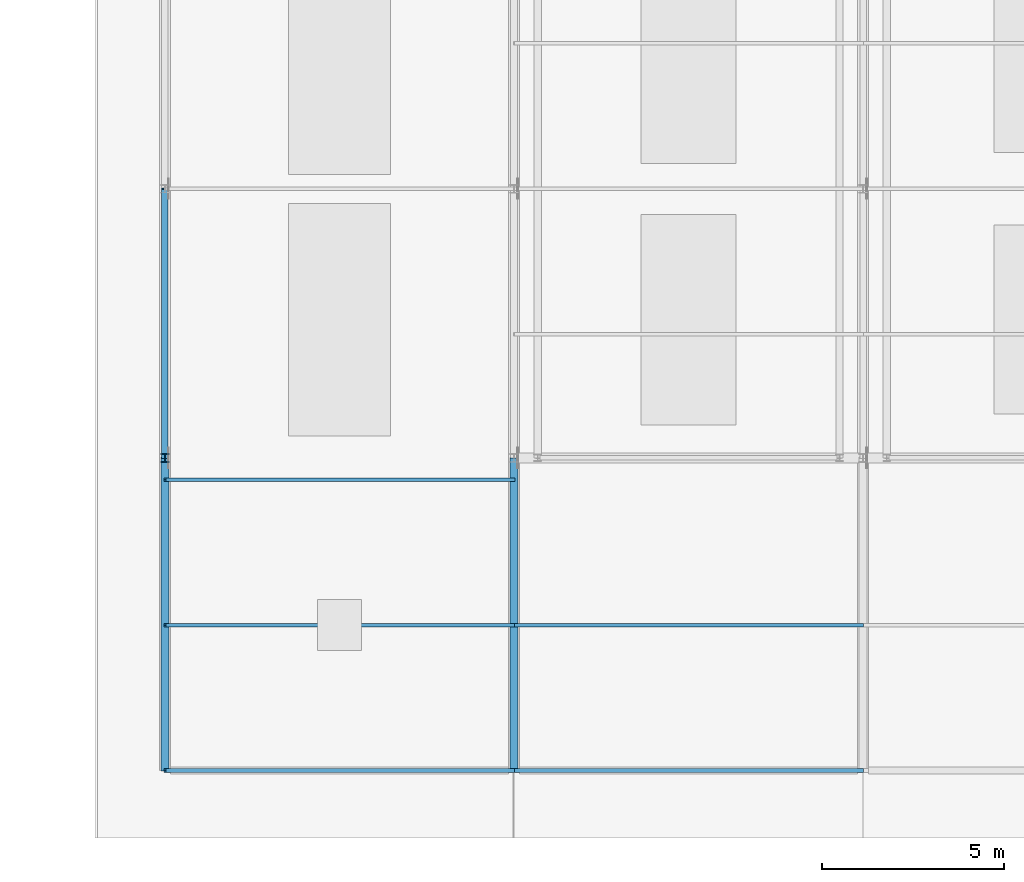
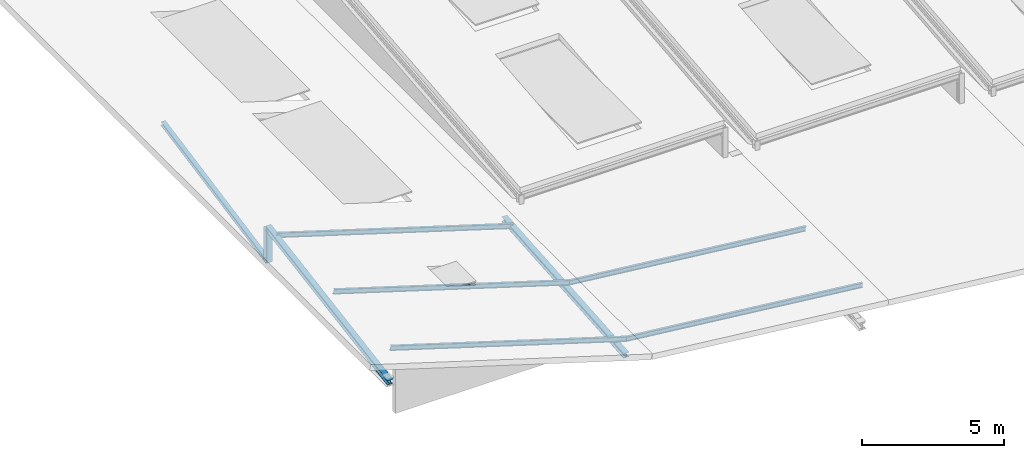
# One storey, part 1 of 30: 9 members.
"""IFC4 building model written with IfcOpenShell, lengths in metres."""

from ifc_helpers import new_model, si_unit, direction, frame, origin, origin_2d, place, context, subcontext, project, spatial, i_section, extrude, material, material_profile, profile_set, type_object, element, save


model = new_model("IFC4")

# Units and contexts
model_context = context("Model", 3, precision=1e-05, world=origin(), true_north=direction((0.0, 1.0)))
body_context = subcontext(model_context, "Body", "Model", "MODEL_VIEW")
ifc_project = project(units=[si_unit("LENGTHUNIT", "METRE"), si_unit("AREAUNIT", "SQUARE_METRE"), si_unit("VOLUMEUNIT", "CUBIC_METRE"), si_unit("PLANEANGLEUNIT", "RADIAN"), si_unit("MASSUNIT", "GRAM", prefix="KILO")], contexts=[model_context])

# Site, building, storey
site_placement = place(None, origin())
site = spatial("IfcSite", under=ifc_project, at=site_placement, CompositionType="ELEMENT")
building_placement = place(site_placement, origin())
building = spatial("IfcBuilding", under=site, at=building_placement, Name="Alderhovde Museum", CompositionType="ELEMENT")
storey_placement = place(building_placement, frame((0.0, 0.0, 30.699951171875)))
storey = spatial("IfcBuildingStorey", under=building, at=storey_placement, Name="RF", CompositionType="ELEMENT", Elevation=30.699951171875)

# Members
ifc_material_1 = material(Name="Steel S355J2", Category="steel")
ifc_material_profile_1 = material_profile(ifc_material_1, i_section(OverallWidth=0.10009765625, OverallDepth=0.199951171875, WebThickness=0.005615234375, FlangeThickness=0.008544921875, FilletRadius=0.011962890625, at=origin_2d()), Name="IPE 200")
ifc_profile_set_1 = profile_set([ifc_material_profile_1], Name="Steel S355J2")
member_type_1 = type_object("IfcMemberType", Name="PRL-IPE200", PredefinedType="PURLIN", material=ifc_profile_set_1)
for number, where, z_axis, x_axis, name in (
    (1, (9.60009765625, 48.0, 1.22998046875), (0.955325587026, 0.0, -0.295555447882), (0.0, 1.0, 0.0), "Folded Wing Roof Purlin Bay 1 Y=48"),
    (2, (9.60009765625, 52.0, 1.22998046875), (0.955325587026, 0.0, -0.295555447882), (0.0, 1.0, 0.0), "Folded Wing Roof Purlin Bay 1 Y=52"),
    (3, (9.60009765625, 56.0, 1.22998046875), (0.955325587026, 0.0, -0.295555447882), (0.0, 1.0, 0.0), "Folded Wing Roof Purlin Bay 1 Y=56"),
):
    element("IfcMember", number, at=place(storey_placement, frame(where, z_axis=z_axis, x_axis=x_axis)), inside=storey, type_object=member_type_1, Name=name, PredefinedType="PURLIN", context=body_context, shape_type="SweptSolid", body=[
        extrude(i_section(OverallWidth=0.10009765625, OverallDepth=0.199951171875, WebThickness=0.005615234375, FlangeThickness=0.008544921875, FilletRadius=0.011962890625, at=origin_2d()), origin(), (0.0, 0.0, 1.0), 10.048828125),
    ])
for number, where, z_axis, x_axis, name in (
    (4, (19.199951171875, 48.0, -1.739990234375), (0.994201715794, 0.0, -0.107531150432), (0.0, 1.0, 0.0), "Folded Wing Roof Purlin Bay 2 Y=48"),
    (5, (19.199951171875, 52.0, -1.739990234375), (0.994201715794, 0.0, -0.107531150432), (0.0, 1.0, 0.0), "Folded Wing Roof Purlin Bay 2 Y=52"),
):
    element("IfcMember", number, at=place(storey_placement, frame(where, z_axis=z_axis, x_axis=x_axis)), inside=storey, type_object=member_type_1, Name=name, PredefinedType="PURLIN", context=body_context, shape_type="SweptSolid", body=[
        extrude(i_section(OverallWidth=0.10009765625, OverallDepth=0.199951171875, WebThickness=0.005615234375, FlangeThickness=0.008544921875, FilletRadius=0.011962890625, at=origin_2d()), origin(), (0.0, 0.0, 1.0), 9.656005859375),
    ])
ifc_material_2 = material(Name="Steel S355J2", Category="steel")
ifc_material_profile_2 = material_profile(ifc_material_2, i_section(OverallWidth=0.179931640625, OverallDepth=0.1708984375, WebThickness=0.006103515625, FlangeThickness=0.009521484375, FilletRadius=0.014892578125, at=origin_2d()), Name="HEA 180")
ifc_profile_set_2 = profile_set([ifc_material_profile_2], Name="Steel S355J2")
member_type_2 = type_object("IfcMemberType", Name="TR-DG-HEA180", PredefinedType="RAFTER", material=ifc_profile_set_2)
member_1_placement = place(storey_placement, frame((9.60009765625, 56.60009765625, -0.25), z_axis=(0.0, 0.981339033656, 0.192285467532), x_axis=(-1.0, 0.0, 0.0)))
element("IfcMember", 6, at=member_1_placement, inside=storey, type_object=member_type_2, Name="Sawtooth Roof Truss X=9.6 Web Diagonal 2", PredefinedType="RAFTER", context=body_context, shape_type="SweptSolid", body=[
    extrude(i_section(OverallWidth=0.179931640625, OverallDepth=0.1708984375, WebThickness=0.006103515625, FlangeThickness=0.009521484375, FilletRadius=0.014892578125, at=origin_2d()), origin(), (0.0, 0.0, 1.0), 7.54052734375),
])
ifc_material_3 = material(Name="Steel S355J2", Category="steel")
ifc_material_profile_3 = material_profile(ifc_material_3, i_section(OverallWidth=0.219970703125, OverallDepth=0.2099609375, WebThickness=0.007080078125, FlangeThickness=0.010986328125, FilletRadius=0.01806640625, at=origin_2d()), Name="HEA 220")
ifc_profile_set_3 = profile_set([ifc_material_profile_3], Name="Steel S355J2")
member_type_3 = type_object("IfcMemberType", Name="TR-DG-HEA220", PredefinedType="RAFTER", material=ifc_profile_set_3)
member_2_placement = place(storey_placement, frame((9.60009765625, 48.0, -0.25), z_axis=(0.0, 0.986083504849, 0.166250778837), x_axis=(-1.0, 0.0, 0.0)))
element("IfcMember", 7, at=member_2_placement, inside=storey, type_object=member_type_3, Name="Sawtooth Roof Truss X=9.6 Web Diagonal 1", PredefinedType="RAFTER", context=body_context, shape_type="SweptSolid", body=[
    extrude(i_section(OverallWidth=0.219970703125, OverallDepth=0.2099609375, WebThickness=0.007080078125, FlangeThickness=0.010986328125, FilletRadius=0.01806640625, at=origin_2d()), origin(), (0.0, 0.0, 1.0), 8.721435546875),
])
member_3_placement = place(storey_placement, frame((19.199951171875, 48.0, -2.449951171875), z_axis=(0.0, 0.996889260878, 0.078814983011), x_axis=(-1.0, 0.0, 0.0)))
element("IfcMember", 8, at=member_3_placement, inside=storey, type_object=member_type_3, Name="Sawtooth Roof Truss X=19.2 Web Diagonal 1", PredefinedType="RAFTER", context=body_context, shape_type="SweptSolid", body=[
    extrude(i_section(OverallWidth=0.219970703125, OverallDepth=0.2099609375, WebThickness=0.007080078125, FlangeThickness=0.010986328125, FilletRadius=0.01806640625, at=origin_2d()), origin(), (0.0, 0.0, 1.0), 8.626953125),
])
ifc_material_4 = material(Name="Steel S355J2", Category="steel")
ifc_material_profile_4 = material_profile(ifc_material_4, i_section(OverallWidth=0.239990234375, OverallDepth=0.22998046875, WebThickness=0.007568359375, FlangeThickness=0.011962890625, FilletRadius=0.02099609375, at=origin_2d()), Name="HEA 240")
ifc_profile_set_4 = profile_set([ifc_material_profile_4], Name="Steel S355J2")
member_type_4 = type_object("IfcMemberType", Name="TR-PS-HEA240", PredefinedType="POST", material=ifc_profile_set_4)
member_4_placement = place(storey_placement, frame((9.60009765625, 56.60009765625, -0.25), z_axis=(0.0, 0.0, 1.0), x_axis=(1.0, 0.0, 0.0)))
element("IfcMember", 9, at=member_4_placement, inside=storey, type_object=member_type_4, Name="Sawtooth Roof Truss X=9.6 Web Post 1", PredefinedType="POST", context=body_context, shape_type="SweptSolid", body=[
    extrude(i_section(OverallWidth=0.239990234375, OverallDepth=0.22998046875, WebThickness=0.007568359375, FlangeThickness=0.011962890625, FilletRadius=0.02099609375, at=origin_2d()), origin(), (0.0, 0.0, 1.0), 1.449951171875),
])

save(model, "model.ifc")
